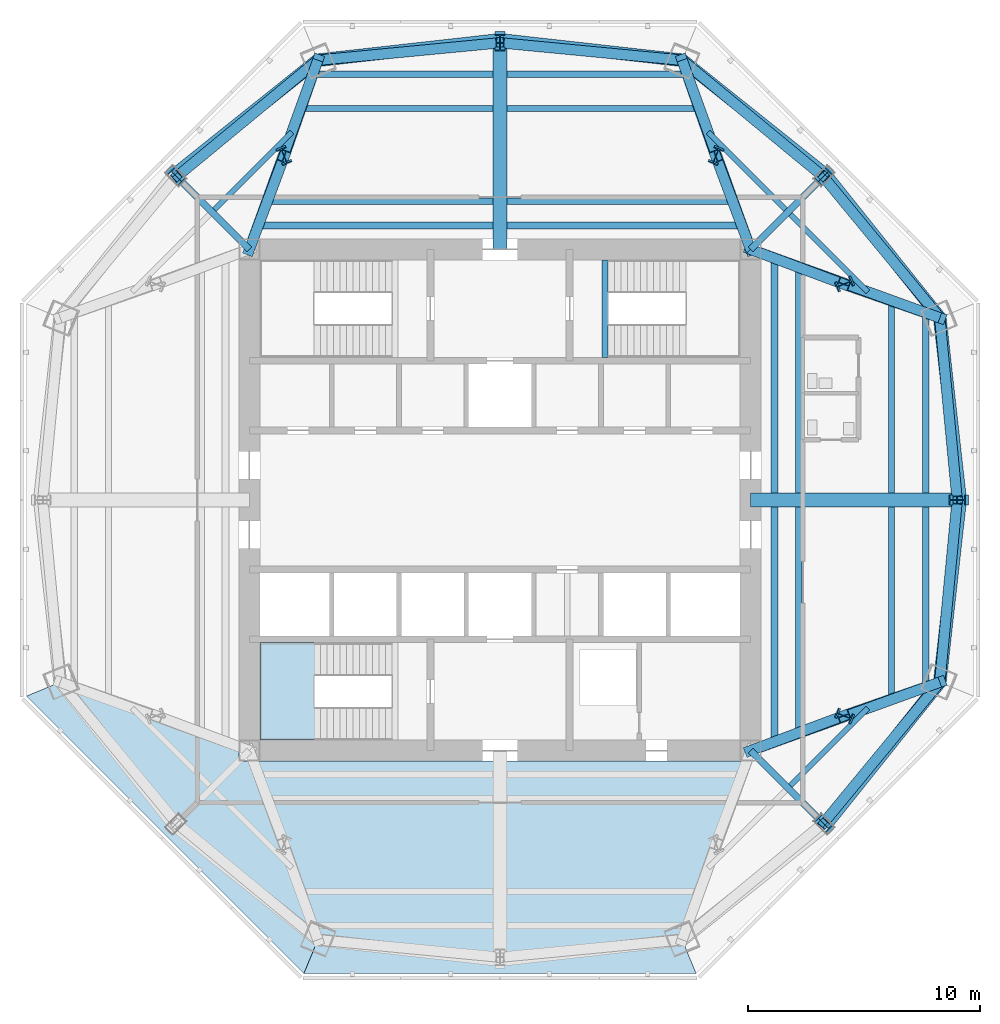
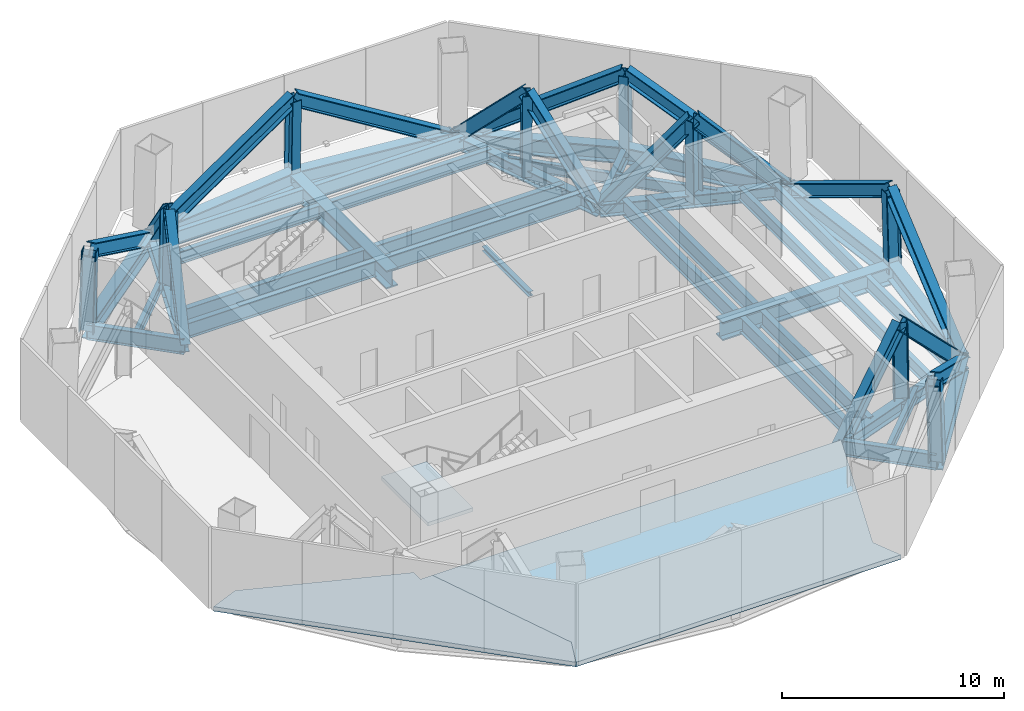
# One storey, part 2 of 8: 41 members, 26 beams, 3 slabs, 1 element without a shape of its own.
"""IFC4 building model written with IfcOpenShell, lengths in metres."""

from ifc_helpers import new_model, si_unit, direction, frame, origin, origin_2d, place, context, subcontext, project, spatial, polyline, i_section, outline, extrude, source, transform, mapped, material, layer, layer_set, material_profile, profile_set, type_object, type_shapes, element, aggregate, save


model = new_model("IFC4")

# Units and contexts
model_context = context("Model", 3, precision=1e-05, world=origin(), true_north=direction((0.0, 1.0)))
body_context = subcontext(model_context, "Body", "Model", "MODEL_VIEW")
ifc_project = project(units=[si_unit("LENGTHUNIT", "METRE"), si_unit("AREAUNIT", "SQUARE_METRE"), si_unit("VOLUMEUNIT", "CUBIC_METRE"), si_unit("PLANEANGLEUNIT", "RADIAN"), si_unit("MASSUNIT", "GRAM", prefix="KILO")], contexts=[model_context])

# Site, building, storey
site_placement = place(None, origin())
site = spatial("IfcSite", under=ifc_project, at=site_placement, CompositionType="ELEMENT")
building_placement = place(site_placement, origin())
building = spatial("IfcBuilding", under=site, at=building_placement, Name="Mashrafa Tower", CompositionType="ELEMENT")
storey_placement = place(building_placement, frame((0.0, 0.0, 261.800048828125)))
storey = spatial("IfcBuildingStorey", under=building, at=storey_placement, Name="L63", CompositionType="ELEMENT", Elevation=261.800048828125)

# Beams
ifc_material_1 = material(Name="Steel ASTM A572 Gr 50", Category="steel")
ifc_material_profile_1 = material_profile(ifc_material_1, i_section(OverallWidth=0.60009765625, OverallDepth=1.0, WebThickness=0.0400390625, FlangeThickness=0.070068359375, at=origin_2d()), Name="H1000X600X40X70")
ifc_profile_set_1 = profile_set([ifc_material_profile_1], Name="Steel ASTM A572 Gr 50")
beam_type_1 = type_object("IfcBeamType", Name="Beam H1000X600X40X70", PredefinedType="BEAM", material=ifc_profile_set_1)
for number, where, z_axis, x_axis, name in (
    (1, (0.0, 10.800048828125, -0.75), (0.0, 1.0, 0.0), (-1.0, 0.0, 0.0), "Radial girder L63 045"),
    (2, (10.800048828125, 0.0, -0.75), (1.0, 0.0, 0.0), (0.0, 1.0, 0.0), "Radial girder L63 047"),
):
    element("IfcBeam", number, at=place(storey_placement, frame(where, z_axis=z_axis, x_axis=x_axis)), inside=storey, type_object=beam_type_1, Name=name, PredefinedType="BEAM", context=body_context, shape_type="SweptSolid", body=[
        extrude(i_section(OverallWidth=0.60009765625, OverallDepth=1.0, WebThickness=0.0400390625, FlangeThickness=0.070068359375, at=origin_2d()), origin(), (0.0, 0.0, 1.0), 9.015869140625),
    ])
ifc_material_2 = material(Name="Steel ASTM A992", Category="steel")
ifc_material_profile_2 = material_profile(ifc_material_2, i_section(OverallWidth=0.227783203125, OverallDepth=0.60205078125, WebThickness=0.010498046875, FlangeThickness=0.014892578125, FilletRadius=0.012939453125, at=origin_2d()), Name="W24X68")
ifc_profile_set_2 = profile_set([ifc_material_profile_2], Name="Steel ASTM A992")
beam_type_2 = type_object("IfcBeamType", Name="Beam W24X68", PredefinedType="BEAM", material=ifc_profile_set_2)
for number, where, z_axis, x_axis, name in (
    (3, (-12.302734375, 12.50927734375, -0.551025390625), (0.707106781187, 0.707106781187, 0.0), (-0.707106781187, 0.707106781187, 0.0), "Floor beam L63 009"),
    (4, (8.968017578125, 15.843994140625, -0.551025390625), (0.707106781187, -0.707106781187, 0.0), (0.707106781187, 0.707106781187, 0.0), "Floor beam L63 027"),
    (5, (12.50927734375, 12.302734375, -0.551025390625), (0.707106781187, -0.707106781187, 0.0), (0.707106781187, 0.707106781187, 0.0), "Floor beam L63 033"),
    (6, (15.843994140625, -8.968017578125, -0.551025390625), (-0.707106781187, -0.707106781187, 0.0), (0.707106781187, -0.707106781187, 0.0), "Floor beam L63 036"),
):
    element("IfcBeam", number, at=place(storey_placement, frame(where, z_axis=z_axis, x_axis=x_axis)), inside=storey, type_object=beam_type_2, Name=name, PredefinedType="BEAM", context=body_context, shape_type="SweptSolid", body=[
        extrude(i_section(OverallWidth=0.227783203125, OverallDepth=0.60205078125, WebThickness=0.010498046875, FlangeThickness=0.014892578125, FilletRadius=0.012939453125, at=origin_2d()), origin(), (0.0, 0.0, 1.0), 4.716064453125),
    ])
ifc_material_3 = material(Name="Steel ASTM A992", Category="steel")
ifc_material_profile_3 = material_profile(ifc_material_3, i_section(OverallWidth=0.256591796875, OverallDepth=0.693359375, WebThickness=0.014404296875, FlangeThickness=0.023681640625, FilletRadius=0.01513671875, at=origin_2d()), Name="W27X114")
ifc_profile_set_3 = profile_set([ifc_material_profile_3], Name="Steel ASTM A992")
beam_type_3 = type_object("IfcBeamType", Name="Beam W27X114", PredefinedType="BEAM", material=ifc_profile_set_3)
for number, where, z_axis, x_axis, name in (
    (7, (-8.595703125, 16.868896484375, -0.5966796875), (1.0, 0.0, 0.0), (0.0, 1.0, 0.0), "Floor beam L63 015"),
    (8, (0.300048828125, 16.868896484375, -0.5966796875), (1.0, 0.0, 0.0), (0.0, 1.0, 0.0), "Floor beam L63 023"),
    (9, (16.868896484375, -0.300048828125, -0.5966796875), (0.0, -1.0, 0.0), (1.0, 0.0, 0.0), "Floor beam L63 037"),
    (10, (16.868896484375, 8.595703125, -0.5966796875), (0.0, -1.0, 0.0), (1.0, 0.0, 0.0), "Floor beam L63 038"),
):
    element("IfcBeam", number, at=place(storey_placement, frame(where, z_axis=z_axis, x_axis=x_axis)), inside=storey, type_object=beam_type_3, Name=name, PredefinedType="BEAM", context=body_context, shape_type="SweptSolid", body=[
        extrude(i_section(OverallWidth=0.256591796875, OverallDepth=0.693359375, WebThickness=0.014404296875, FlangeThickness=0.023681640625, FilletRadius=0.01513671875, at=origin_2d()), origin(), (0.0, 0.0, 1.0), 8.295654296875),
    ])
ifc_material_4 = material(Name="Steel ASTM A992", Category="steel")
ifc_material_profile_4 = material_profile(ifc_material_4, i_section(OverallWidth=0.2666015625, OverallDepth=0.75439453125, WebThickness=0.01318359375, FlangeThickness=0.01708984375, FilletRadius=0.0166015625, at=origin_2d()), Name="W30X99")
ifc_profile_set_4 = profile_set([ifc_material_profile_4], Name="Steel ASTM A992")
beam_type_4 = type_object("IfcBeamType", Name="Beam W30X99", PredefinedType="BEAM", material=ifc_profile_set_4)
for number, where, z_axis, x_axis, name in (
    (11, (-8.060302734375, 18.34228515625, -0.627197265625), (1.0, 0.0, 0.0), (0.0, 1.0, 0.0), "Floor beam L63 016"),
    (12, (0.300048828125, 18.34228515625, -0.627197265625), (1.0, 0.0, 0.0), (0.0, 1.0, 0.0), "Floor beam L63 024"),
    (13, (18.34228515625, -0.300048828125, -0.627197265625), (0.0, -1.0, 0.0), (1.0, 0.0, 0.0), "Floor beam L63 039"),
    (14, (18.34228515625, 8.060302734375, -0.627197265625), (0.0, -1.0, 0.0), (1.0, 0.0, 0.0), "Floor beam L63 040"),
):
    element("IfcBeam", number, at=place(storey_placement, frame(where, z_axis=z_axis, x_axis=x_axis)), inside=storey, type_object=beam_type_4, Name=name, PredefinedType="BEAM", context=body_context, shape_type="SweptSolid", body=[
        extrude(i_section(OverallWidth=0.2666015625, OverallDepth=0.75439453125, WebThickness=0.01318359375, FlangeThickness=0.01708984375, FilletRadius=0.0166015625, at=origin_2d()), origin(), (0.0, 0.0, 1.0), 7.76025390625),
    ])
ifc_material_5 = material(Name="Steel ASTM A992", Category="steel")
ifc_material_profile_5 = material_profile(ifc_material_5, i_section(OverallWidth=0.2919921875, OverallDepth=0.8408203125, WebThickness=0.0146484375, FlangeThickness=0.021728515625, FilletRadius=0.017333984375, at=origin_2d()), Name="W33X130")
ifc_profile_set_5 = profile_set([ifc_material_profile_5], Name="Steel ASTM A992")
beam_type_5 = type_object("IfcBeamType", Name="Beam W33X130", PredefinedType="BEAM", material=ifc_profile_set_5)
for number, where, z_axis, x_axis, name in (
    (15, (-10.800048828125, 10.800048828125, -0.67041015625), (-0.707106781187, 0.707106781187, 0.0), (-0.707106781187, -0.707106781187, 0.0), "Radial girder L63 043"),
    (16, (10.800048828125, -10.800048828125, -0.67041015625), (0.707106781187, -0.707106781187, 0.0), (0.707106781187, 0.707106781187, 0.0), "Radial girder L63 046"),
    (17, (10.800048828125, 10.800048828125, -0.67041015625), (0.707106781187, 0.707106781187, 0.0), (-0.707106781187, 0.707106781187, 0.0), "Radial girder L63 048"),
):
    element("IfcBeam", number, at=place(storey_placement, frame(where, z_axis=z_axis, x_axis=x_axis)), inside=storey, type_object=beam_type_5, Name=name, PredefinedType="BEAM", context=body_context, shape_type="SweptSolid", body=[
        extrude(i_section(OverallWidth=0.2919921875, OverallDepth=0.8408203125, WebThickness=0.0146484375, FlangeThickness=0.021728515625, FilletRadius=0.017333984375, at=origin_2d()), origin(), (0.0, 0.0, 1.0), 4.542236328125),
    ])
ifc_material_6 = material(Name="Steel ASTM A992", Category="steel")
ifc_material_profile_6 = material_profile(ifc_material_6, i_section(OverallWidth=0.2919921875, OverallDepth=0.845703125, WebThickness=0.015380859375, FlangeThickness=0.0244140625, FilletRadius=0.017333984375, at=origin_2d()), Name="W33X141")
ifc_profile_set_6 = profile_set([ifc_material_profile_6], Name="Steel ASTM A992")
beam_type_6 = type_object("IfcBeamType", Name="Beam W33X141", PredefinedType="BEAM", material=ifc_profile_set_6)
beam_1_placement = place(storey_placement, frame((-10.42431640625, 11.83447265625, -0.6728515625), z_axis=(1.0, 0.0, 0.0), x_axis=(0.0, 1.0, 0.0)))
element("IfcBeam", 18, at=beam_1_placement, inside=storey, type_object=beam_type_6, Name="Floor beam L63 012", PredefinedType="BEAM", context=body_context, shape_type="SweptSolid", body=[
    extrude(i_section(OverallWidth=0.2919921875, OverallDepth=0.845703125, WebThickness=0.015380859375, FlangeThickness=0.0244140625, FilletRadius=0.017333984375, at=origin_2d()), origin(), (0.0, 0.0, 1.0), 10.124267578125),
])
beam_2_placement = place(storey_placement, frame((-10.048583984375, 12.868896484375, -0.6728515625), z_axis=(1.0, 0.0, 0.0), x_axis=(0.0, 1.0, 0.0)))
element("IfcBeam", 19, at=beam_2_placement, inside=storey, type_object=beam_type_6, Name="Floor beam L63 013", PredefinedType="BEAM", context=body_context, shape_type="SweptSolid", body=[
    extrude(i_section(OverallWidth=0.2919921875, OverallDepth=0.845703125, WebThickness=0.015380859375, FlangeThickness=0.0244140625, FilletRadius=0.017333984375, at=origin_2d()), origin(), (0.0, 0.0, 1.0), 9.74853515625),
])
beam_3_placement = place(storey_placement, frame((0.300048828125, 11.83447265625, -0.6728515625), z_axis=(1.0, 0.0, 0.0), x_axis=(0.0, 1.0, 0.0)))
element("IfcBeam", 20, at=beam_3_placement, inside=storey, type_object=beam_type_6, Name="Floor beam L63 021", PredefinedType="BEAM", context=body_context, shape_type="SweptSolid", body=[
    extrude(i_section(OverallWidth=0.2919921875, OverallDepth=0.845703125, WebThickness=0.015380859375, FlangeThickness=0.0244140625, FilletRadius=0.017333984375, at=origin_2d()), origin(), (0.0, 0.0, 1.0), 10.124267578125),
])
beam_4_placement = place(storey_placement, frame((0.300048828125, 12.868896484375, -0.6728515625), z_axis=(1.0, 0.0, 0.0), x_axis=(0.0, 1.0, 0.0)))
element("IfcBeam", 21, at=beam_4_placement, inside=storey, type_object=beam_type_6, Name="Floor beam L63 022", PredefinedType="BEAM", context=body_context, shape_type="SweptSolid", body=[
    extrude(i_section(OverallWidth=0.2919921875, OverallDepth=0.845703125, WebThickness=0.015380859375, FlangeThickness=0.0244140625, FilletRadius=0.017333984375, at=origin_2d()), origin(), (0.0, 0.0, 1.0), 9.74853515625),
])
for number, where, z_axis, x_axis, name in (
    (22, (11.83447265625, -0.300048828125, -0.6728515625), (0.0, -1.0, 0.0), (1.0, 0.0, 0.0), "Floor beam L63 030"),
    (23, (11.83447265625, 10.42431640625, -0.6728515625), (0.0, -1.0, 0.0), (1.0, 0.0, 0.0), "Floor beam L63 031"),
):
    element("IfcBeam", number, at=place(storey_placement, frame(where, z_axis=z_axis, x_axis=x_axis)), inside=storey, type_object=beam_type_6, Name=name, PredefinedType="BEAM", context=body_context, shape_type="SweptSolid", body=[
        extrude(i_section(OverallWidth=0.2919921875, OverallDepth=0.845703125, WebThickness=0.015380859375, FlangeThickness=0.0244140625, FilletRadius=0.017333984375, at=origin_2d()), origin(), (0.0, 0.0, 1.0), 10.124267578125),
    ])
for number, where, z_axis, x_axis, name in (
    (24, (12.868896484375, -0.300048828125, -0.6728515625), (0.0, -1.0, 0.0), (1.0, 0.0, 0.0), "Floor beam L63 034"),
    (25, (12.868896484375, 10.048583984375, -0.6728515625), (0.0, -1.0, 0.0), (1.0, 0.0, 0.0), "Floor beam L63 035"),
):
    element("IfcBeam", number, at=place(storey_placement, frame(where, z_axis=z_axis, x_axis=x_axis)), inside=storey, type_object=beam_type_6, Name=name, PredefinedType="BEAM", context=body_context, shape_type="SweptSolid", body=[
        extrude(i_section(OverallWidth=0.2919921875, OverallDepth=0.845703125, WebThickness=0.015380859375, FlangeThickness=0.0244140625, FilletRadius=0.017333984375, at=origin_2d()), origin(), (0.0, 0.0, 1.0), 9.74853515625),
    ])
ifc_material_7 = material(Name="Steel ASTM A992", Category="steel")
ifc_material_profile_7 = material_profile(ifc_material_7, i_section(OverallWidth=0.25390625, OverallDepth=0.25390625, WebThickness=0.008544921875, FlangeThickness=0.01416015625, FilletRadius=0.010009765625, at=origin_2d()), Name="W10X49")
ifc_profile_set_7 = profile_set([ifc_material_profile_7], Name="Steel ASTM A992")
beam_type_7 = type_object("IfcBeamType", Name="Hoistway beam W10X49", PredefinedType="BEAM", material=ifc_profile_set_7)
beam_5_placement = place(storey_placement, frame((4.530029296875, 6.14990234375, -0.376953125), z_axis=(0.0, 1.0, 0.0), x_axis=(-1.0, 0.0, 0.0)))
element("IfcBeam", 26, at=beam_5_placement, inside=storey, type_object=beam_type_7, Name="Stair S2 landing beam L63", PredefinedType="BEAM", context=body_context, shape_type="SweptSolid", body=[
    extrude(i_section(OverallWidth=0.25390625, OverallDepth=0.25390625, WebThickness=0.008544921875, FlangeThickness=0.01416015625, FilletRadius=0.010009765625, at=origin_2d()), origin(), (0.0, 0.0, 1.0), 4.2001953125),
])

# Members
ifc_material_8 = material(Name="Steel ASTM A572 Gr 50", Category="steel")
ifc_material_profile_8 = material_profile(ifc_material_8, i_section(OverallWidth=0.449951171875, OverallDepth=0.699951171875, WebThickness=0.028076171875, FlangeThickness=0.044921875, at=origin_2d()), Name="H700X450X28X45")
ifc_profile_set_8 = profile_set([ifc_material_profile_8], Name="Steel ASTM A572 Gr 50")
member_type_1 = type_object("IfcMemberType", Name="Outrigger post H700X450X28X45", PredefinedType="POST", material=ifc_profile_set_8)
shared_shape_1 = source(origin(), body_context, "Body", "SweptSolid", [
    extrude(i_section(OverallWidth=0.449951171875, OverallDepth=0.699951171875, WebThickness=0.028076171875, FlangeThickness=0.044921875, at=origin_2d()), origin(), (0.0, 0.0, 1.0), 4.50048828125),
])
type_shapes(member_type_1, [shared_shape_1])
for number, where, z_axis, x_axis, name in (
    (27, (14.875244140625, 9.32470703125, -0.699951171875), (-0.014158493841, -0.005858687107, 0.999882599527), (0.382351792726, -0.924016832422, 0.0), "Outrigger post MC1 L63"),
    (28, (9.32470703125, 14.875244140625, -0.699951171875), (-0.005858687107, -0.014158493841, 0.999882599527), (0.924016832422, -0.382351792726, 0.0), "Outrigger post MC2 L63"),
    (29, (-9.32470703125, 14.875244140625, -0.699951171875), (0.005858687107, -0.014158493841, 0.999882599527), (0.924016832422, 0.382351792726, 0.0), "Outrigger post MC3 L63"),
    (30, (14.875244140625, -9.32470703125, -0.699951171875), (-0.014158493841, 0.005858687107, 0.999882599527), (-0.382351792726, -0.924016832422, 0.0), "Outrigger post MC8 L63"),
):
    element("IfcMember", number, at=place(storey_placement, frame(where, z_axis=z_axis, x_axis=x_axis)), inside=storey, type_object=member_type_1, Name=name, PredefinedType="POST", context=body_context, shape_type="MappedRepresentation", body=[
        mapped(shared_shape_1, transform((0.0, 0.0, 0.0))),
    ])
ifc_material_9 = material(Name="Steel ASTM A572 Gr 50", Category="steel")
ifc_material_profile_9 = material_profile(ifc_material_9, i_section(OverallWidth=0.449951171875, OverallDepth=0.699951171875, WebThickness=0.028076171875, FlangeThickness=0.044921875, at=origin_2d()), Name="H700X450X28X45")
ifc_profile_set_9 = profile_set([ifc_material_profile_9], Name="Steel ASTM A572 Gr 50")
member_type_2 = type_object("IfcMemberType", Name="Belt truss post H700X450X28X45", PredefinedType="POST", material=ifc_profile_set_9)
shared_shape_2 = source(origin(), body_context, "Body", "SweptSolid", [
    extrude(i_section(OverallWidth=0.449951171875, OverallDepth=0.699951171875, WebThickness=0.028076171875, FlangeThickness=0.044921875, at=origin_2d()), origin(), (0.0, 0.0, 1.0), 4.501708984375),
])
type_shapes(member_type_2, [shared_shape_2])
for number, where, z_axis, x_axis, name in (
    (31, (19.82861328125, 0.0, -0.699951171875), (-0.028308962314, 0.0, 0.999599221014), (0.0, -1.0, 0.0), "Belt truss post east face L63"),
    (32, (14.02099609375, 14.02099609375, -0.699951171875), (-0.02001151261, -0.02001151261, 0.999599459147), (0.707106781187, -0.707106781187, 0.0), "Belt truss post north-east face L63"),
    (33, (0.0, 19.82861328125, -0.699951171875), (0.0, -0.028308962314, 0.999599221014), (1.0, 0.0, 0.0), "Belt truss post north face L63"),
    (34, (-14.02099609375, 14.02099609375, -0.699951171875), (0.02001151261, -0.02001151261, 0.999599459147), (0.707106781187, 0.707106781187, 0.0), "Belt truss post north-west face L63"),
    (35, (14.02099609375, -14.02099609375, -0.699951171875), (-0.02001151261, 0.02001151261, 0.999599459147), (-0.707106781187, -0.707106781187, 0.0), "Belt truss post south-east face L63"),
):
    element("IfcMember", number, at=place(storey_placement, frame(where, z_axis=z_axis, x_axis=x_axis)), inside=storey, type_object=member_type_2, Name=name, PredefinedType="POST", context=body_context, shape_type="MappedRepresentation", body=[
        mapped(shared_shape_2, transform((0.0, 0.0, 0.0))),
    ])
ifc_material_10 = material(Name="Steel ASTM A572 Gr 50", Category="steel")
ifc_material_profile_10 = material_profile(ifc_material_10, i_section(OverallWidth=0.550048828125, OverallDepth=0.89990234375, WebThickness=0.034912109375, FlangeThickness=0.06005859375, at=origin_2d()), Name="H900X550X35X60")
ifc_profile_set_10 = profile_set([ifc_material_profile_10], Name="Steel ASTM A572 Gr 50")
member_type_3 = type_object("IfcMemberType", Name="Belt truss chord H900X550X35X60", PredefinedType="CHORD", material=ifc_profile_set_10)
shared_shape_3 = source(origin(), body_context, "Body", "SweptSolid", [
    extrude(i_section(OverallWidth=0.550048828125, OverallDepth=0.89990234375, WebThickness=0.034912109375, FlangeThickness=0.06005859375, at=origin_2d()), origin(), (0.0, 0.0, 1.0), 7.898681640625),
])
for number, where, z_axis, x_axis, name in (
    (36, (18.950439453125, -7.849609375, -0.699951171875), (0.11118123692, 0.993800147191, 0.0), (-0.993800147191, 0.11118123692, 0.0), "Belt truss bottom chord east face L63 right"),
    (37, (18.950439453125, 7.849609375, -0.699951171875), (0.11118123692, -0.993800147191, 0.0), (0.993800147191, 0.11118123692, 0.0), "Belt truss bottom chord east face L63 left"),
    (38, (7.849609375, 18.950439453125, -0.699951171875), (-0.993800147191, 0.11118123692, 0.0), (-0.11118123692, -0.993800147191, 0.0), "Belt truss bottom chord north face L63 right"),
    (39, (-7.849609375, 18.950439453125, -0.699951171875), (0.993800147191, 0.11118123692, 0.0), (-0.11118123692, 0.993800147191, 0.0), "Belt truss bottom chord north face L63 left"),
):
    element("IfcMember", number, at=place(storey_placement, frame(where, z_axis=z_axis, x_axis=x_axis)), inside=storey, type_object=member_type_3, Name=name, PredefinedType="CHORD", context=body_context, shape_type="MappedRepresentation", body=[
        mapped(shared_shape_3, transform((0.0, 0.0, 0.0))),
    ])
ifc_material_11 = material(Name="Steel ASTM A572 Gr 50", Category="steel")
ifc_material_profile_11 = material_profile(ifc_material_11, i_section(OverallWidth=0.449951171875, OverallDepth=0.699951171875, WebThickness=0.028076171875, FlangeThickness=0.044921875, at=origin_2d()), Name="H700X450X28X45")
ifc_profile_set_11 = profile_set([ifc_material_profile_11], Name="Steel ASTM A572 Gr 50")
member_type_4 = type_object("IfcMemberType", Name="Belt truss diagonal H700X450X28X45", PredefinedType="BRACE", material=ifc_profile_set_11)
shared_shape_4 = source(origin(), body_context, "Body", "SweptSolid", [
    extrude(i_section(OverallWidth=0.449951171875, OverallDepth=0.699951171875, WebThickness=0.028076171875, FlangeThickness=0.044921875, at=origin_2d()), origin(), (0.0, 0.0, 1.0), 9.0791015625),
])
type_shapes(member_type_4, [shared_shape_4])
for number, where, z_axis, x_axis, name in (
    (40, (18.950439453125, -7.849609375, -0.699951171875), (0.082688023381, 0.864580594393, 0.495644112835), (-0.995457684062, 0.095205037898, 0.0), "Belt truss diagonal east face L63 right"),
    (41, (18.950439453125, 7.849609375, -0.699951171875), (0.082688023381, -0.864580594393, 0.495644112835), (0.995457684062, 0.095205037898, 0.0), "Belt truss diagonal east face L63 left"),
    (42, (18.950439453125, 7.849609375, -0.699951171875), (-0.552873879866, 0.66982176428, 0.49565035767), (-0.771220129748, -0.636568544205, 0.0), "Belt truss diagonal north-east face L63 right"),
    (43, (7.849609375, 18.950439453125, -0.699951171875), (0.66982176428, -0.552873879866, 0.49565035767), (0.636568544205, 0.771220129748, 0.0), "Belt truss diagonal north-east face L63 left"),
    (44, (7.849609375, 18.950439453125, -0.699951171875), (-0.864580594393, 0.082688023381, 0.495644112835), (-0.095205037898, -0.995457684062, 0.0), "Belt truss diagonal north face L63 right"),
    (45, (-7.849609375, 18.950439453125, -0.699951171875), (0.864580594393, 0.082688023381, 0.495644112835), (-0.095205037898, 0.995457684062, 0.0), "Belt truss diagonal north face L63 left"),
    (46, (-7.849609375, 18.950439453125, -0.699951171875), (-0.66982176428, -0.552873879866, 0.49565035767), (0.636568544205, -0.771220129748, 0.0), "Belt truss diagonal north-west face L63 right"),
    (47, (18.950439453125, -7.849609375, -0.699951171875), (-0.552873879866, -0.66982176428, 0.49565035767), (0.771220129748, -0.636568544205, 0.0), "Belt truss diagonal south-east face L63 left"),
):
    element("IfcMember", number, at=place(storey_placement, frame(where, z_axis=z_axis, x_axis=x_axis)), inside=storey, type_object=member_type_4, Name=name, PredefinedType="BRACE", context=body_context, shape_type="MappedRepresentation", body=[
        mapped(shared_shape_4, transform((0.0, 0.0, 0.0))),
    ])
shared_shape_5 = source(origin(), body_context, "Body", "SweptSolid", [
    extrude(i_section(OverallWidth=0.550048828125, OverallDepth=0.89990234375, WebThickness=0.034912109375, FlangeThickness=0.06005859375, at=origin_2d()), origin(), (0.0, 0.0, 1.0), 7.8984375),
])
type_shapes(member_type_3, [shared_shape_3, shared_shape_5])
for number, where, z_axis, x_axis, name in (
    (48, (18.950439453125, 7.849609375, -0.699951171875), (-0.624103055444, 0.781342035338, 0.0), (-0.781342035338, -0.624103055444, 0.0), "Belt truss bottom chord north-east face L63 right"),
    (49, (7.849609375, 18.950439453125, -0.699951171875), (0.781342035338, -0.624103055444, 0.0), (0.624103055444, 0.781342035338, 0.0), "Belt truss bottom chord north-east face L63 left"),
    (50, (-7.849609375, 18.950439453125, -0.699951171875), (-0.781342035338, -0.624103055444, 0.0), (0.624103055444, -0.781342035338, 0.0), "Belt truss bottom chord north-west face L63 right"),
    (51, (18.950439453125, -7.849609375, -0.699951171875), (-0.624103055444, -0.781342035338, 0.0), (0.781342035338, -0.624103055444, 0.0), "Belt truss bottom chord south-east face L63 left"),
):
    element("IfcMember", number, at=place(storey_placement, frame(where, z_axis=z_axis, x_axis=x_axis)), inside=storey, type_object=member_type_3, Name=name, PredefinedType="CHORD", context=body_context, shape_type="MappedRepresentation", body=[
        mapped(shared_shape_5, transform((0.0, 0.0, 0.0))),
    ])
ifc_material_12 = material(Name="Steel ASTM A572 Gr 50", Category="steel")
ifc_material_profile_12 = material_profile(ifc_material_12, i_section(OverallWidth=0.449951171875, OverallDepth=0.699951171875, WebThickness=0.028076171875, FlangeThickness=0.044921875, at=origin_2d()), Name="H700X450X28X45")
ifc_profile_set_12 = profile_set([ifc_material_profile_12], Name="Steel ASTM A572 Gr 50")
member_type_5 = type_object("IfcMemberType", Name="Outrigger chord H700X450X28X45", PredefinedType="CHORD", material=ifc_profile_set_12)
shared_shape_6 = source(origin(), body_context, "Body", "SweptSolid", [
    extrude(i_section(OverallWidth=0.449951171875, OverallDepth=0.699951171875, WebThickness=0.028076171875, FlangeThickness=0.044921875, at=origin_2d()), origin(), (0.0, 0.0, 1.0), 4.333984375),
])
type_shapes(member_type_5, [shared_shape_6])
for number, where, z_axis, x_axis, name in (
    (52, (10.800048828125, 10.800048828125, -0.699951171875), (0.940277663363, -0.340408454332, 0.0), (0.340408454332, 0.940277663363, 0.0), "Outrigger bottom chord MC1 L63 core end"),
    (53, (14.875244140625, 9.32470703125, -0.699951171875), (0.940295692742, -0.340358649386, 0.0), (0.340358649386, 0.940295692742, 0.0), "Outrigger bottom chord MC1 L63 column end"),
    (54, (10.800048828125, 10.800048828125, -0.699951171875), (-0.340408454332, 0.940277663363, 0.0), (-0.940277663363, -0.340408454332, 0.0), "Outrigger bottom chord MC2 L63 core end"),
    (55, (9.32470703125, 14.875244140625, -0.699951171875), (-0.340358649386, 0.940295692742, 0.0), (-0.940295692742, -0.340358649386, 0.0), "Outrigger bottom chord MC2 L63 column end"),
    (56, (-10.800048828125, 10.800048828125, -0.699951171875), (0.340408454332, 0.940277663363, 0.0), (-0.940277663363, 0.340408454332, 0.0), "Outrigger bottom chord MC3 L63 core end"),
    (57, (-9.32470703125, 14.875244140625, -0.699951171875), (0.340358649386, 0.940295692742, 0.0), (-0.940295692742, 0.340358649386, 0.0), "Outrigger bottom chord MC3 L63 column end"),
    (58, (10.800048828125, -10.800048828125, -0.699951171875), (0.940277663363, 0.340408454332, 0.0), (-0.340408454332, 0.940277663363, 0.0), "Outrigger bottom chord MC8 L63 core end"),
    (59, (14.875244140625, -9.32470703125, -0.699951171875), (0.940295692742, 0.340358649386, 0.0), (-0.340358649386, 0.940295692742, 0.0), "Outrigger bottom chord MC8 L63 column end"),
):
    element("IfcMember", number, at=place(storey_placement, frame(where, z_axis=z_axis, x_axis=x_axis)), inside=storey, type_object=member_type_5, Name=name, PredefinedType="CHORD", context=body_context, shape_type="MappedRepresentation", body=[
        mapped(shared_shape_6, transform((0.0, 0.0, 0.0))),
    ])
ifc_material_13 = material(Name="Steel ASTM A572 Gr 50", Category="steel")
ifc_material_profile_13 = material_profile(ifc_material_13, i_section(OverallWidth=0.449951171875, OverallDepth=0.699951171875, WebThickness=0.028076171875, FlangeThickness=0.044921875, at=origin_2d()), Name="H700X450X28X45")
ifc_profile_set_13 = profile_set([ifc_material_profile_13], Name="Steel ASTM A572 Gr 50")
member_type_6 = type_object("IfcMemberType", Name="Outrigger diagonal H700X450X28X45", PredefinedType="BRACE", material=ifc_profile_set_13)
shared_shape_7 = source(origin(), body_context, "Body", "SweptSolid", [
    extrude(i_section(OverallWidth=0.449951171875, OverallDepth=0.699951171875, WebThickness=0.028076171875, FlangeThickness=0.044921875, at=origin_2d()), origin(), (0.0, 0.0, 1.0), 6.212646484375),
])
for number, where, z_axis, x_axis, name in (
    (60, (10.800048828125, 10.800048828125, -0.699951171875), (0.64569428734, -0.241717823713, 0.724328227391), (0.350592448272, 0.936528128363, 0.0), "Outrigger diagonal MC1 L63 core end"),
    (61, (10.800048828125, 10.800048828125, -0.699951171875), (-0.241717823713, 0.64569428734, 0.724328227391), (-0.936528128363, -0.350592448272, 0.0), "Outrigger diagonal MC2 L63 core end"),
    (62, (-10.800048828125, 10.800048828125, -0.699951171875), (0.241717823713, 0.64569428734, 0.724328227391), (-0.936528128363, 0.350592448272, 0.0), "Outrigger diagonal MC3 L63 core end"),
    (63, (10.800048828125, -10.800048828125, -0.699951171875), (0.64569428734, 0.241717823713, 0.724328227391), (-0.350592448272, 0.936528128363, 0.0), "Outrigger diagonal MC8 L63 core end"),
):
    element("IfcMember", number, at=place(storey_placement, frame(where, z_axis=z_axis, x_axis=x_axis)), inside=storey, type_object=member_type_6, Name=name, PredefinedType="BRACE", context=body_context, shape_type="MappedRepresentation", body=[
        mapped(shared_shape_7, transform((0.0, 0.0, 0.0))),
    ])
shared_shape_8 = source(origin(), body_context, "Body", "SweptSolid", [
    extrude(i_section(OverallWidth=0.449951171875, OverallDepth=0.699951171875, WebThickness=0.028076171875, FlangeThickness=0.044921875, at=origin_2d()), origin(), (0.0, 0.0, 1.0), 6.283203125),
])
type_shapes(member_type_6, [shared_shape_7, shared_shape_8])
for number, where, z_axis, x_axis, name in (
    (64, (18.950439453125, 7.849609375, -0.699951171875), (-0.658720365335, 0.230569612924, 0.716187918), (-0.330372744052, -0.943850544306, 0.0), "Outrigger diagonal MC1 L63 column end"),
    (65, (7.849609375, 18.950439453125, -0.699951171875), (0.230569612924, -0.658720365335, 0.716187918), (0.943850544306, 0.330372744052, 0.0), "Outrigger diagonal MC2 L63 column end"),
    (66, (-7.849609375, 18.950439453125, -0.699951171875), (-0.230569612924, -0.658720365335, 0.716187918), (0.943850544306, -0.330372744052, 0.0), "Outrigger diagonal MC3 L63 column end"),
    (67, (18.950439453125, -7.849609375, -0.699951171875), (-0.658720365335, -0.230569612924, 0.716187918), (0.330372744052, -0.943850544306, 0.0), "Outrigger diagonal MC8 L63 column end"),
):
    element("IfcMember", number, at=place(storey_placement, frame(where, z_axis=z_axis, x_axis=x_axis)), inside=storey, type_object=member_type_6, Name=name, PredefinedType="BRACE", context=body_context, shape_type="MappedRepresentation", body=[
        mapped(shared_shape_8, transform((0.0, 0.0, 0.0))),
    ])

# Slabs
ifc_material_14 = material(Name="Concrete C35/45", Category="concrete")
ifc_layer_1 = layer(ifc_material_14, 0.25)
ifc_layer_set_1 = layer_set([ifc_layer_1], Name="Floor slab 250")
slab_type_1 = type_object("IfcSlabType", Name="Floor slab 250", PredefinedType="FLOOR", material=ifc_layer_set_1)
slab_1_placement = place(storey_placement, frame((0.0, 0.0, -0.25)))
element("IfcSlab", 68, at=slab_1_placement, inside=storey, type_object=slab_type_1, Name="Floor slab L63 south-west bay", PredefinedType="FLOOR", context=body_context, shape_type="SweptSolid", body=[
    extrude(outline(polyline([(-8.45361328125, -20.40869140625), (-20.40869140625, -8.45361328125), (-20.40869140625, -8.45361328125), (-18.9375, -7.84423828125), (-11.25, -10.636474609375), (-11.25, -11.25), (-10.636474609375, -11.25), (-7.84423828125, -18.9375), (-8.45361328125, -20.40869140625), (-8.45361328125, -20.40869140625)])), origin(), (0.0, 0.0, 1.0), 0.25),
])
slab_2_placement = place(storey_placement, frame((0.0, 0.0, -0.25)))
element("IfcSlab", 69, at=slab_2_placement, inside=storey, type_object=slab_type_1, Name="Floor slab L63 south bay", PredefinedType="FLOOR", context=body_context, shape_type="SweptSolid", body=[
    extrude(outline(polyline([(-8.45361328125, -20.40869140625), (-7.84423828125, -18.9375), (-10.636474609375, -11.25), (10.636474609375, -11.25), (7.84423828125, -18.9375), (8.45361328125, -20.40869140625), (-8.45361328125, -20.40869140625)])), origin(), (0.0, 0.0, 1.0), 0.25),
])

# Stair, slab
ifc_material_15 = material(Name="Exit stair 1400")
stair_type = type_object("IfcStairType", Name="Exit stair 1400", PredefinedType="HALF_TURN_STAIR", material=ifc_material_15)
stair_placement = place(storey_placement, origin())
stair = element("IfcStair", 70, at=stair_placement, inside=storey, type_object=stair_type, Name="Stair S3 L63", PredefinedType="HALF_TURN_STAIR")
ifc_material_16 = material(Name="Concrete C32/40", Category="concrete")
ifc_layer_2 = layer(ifc_material_16, 0.199951171875)
ifc_layer_set_2 = layer_set([ifc_layer_2], Name="Stair landing 200")
slab_type_2 = type_object("IfcSlabType", Name="Stair landing 200", PredefinedType="LANDING", material=ifc_layer_set_2)
slab_3_placement = place(storey_placement, frame((0.0, 0.0, 2.050048828125)))
slab_3 = element("IfcSlab", 71, at=slab_3_placement, type_object=slab_type_2, Name="S3 landing 2", PredefinedType="LANDING", context=body_context, shape_type="SweptSolid", body=[
    extrude(outline(polyline([(-10.35009765625, -10.35009765625), (-8.0, -10.35009765625), (-8.0, -6.14990234375), (-10.35009765625, -6.14990234375), (-10.35009765625, -10.35009765625)])), origin(), (0.0, 0.0, 1.0), 0.199951171875),
])
aggregate(stair, [slab_3])

save(model, "model.ifc")
